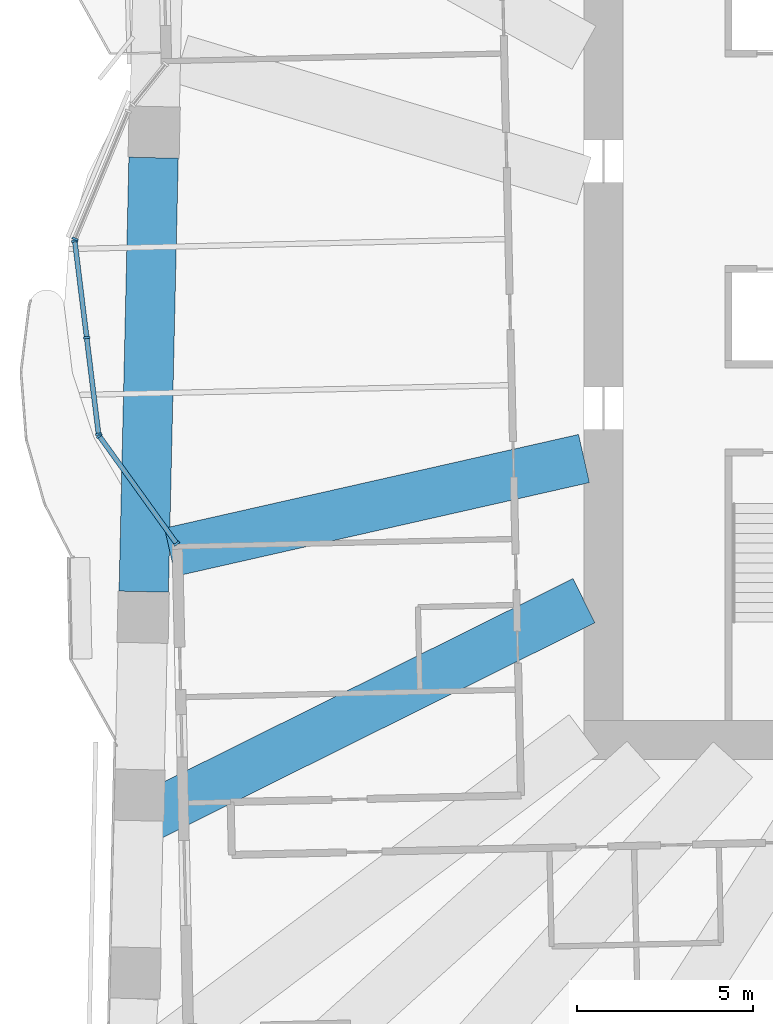
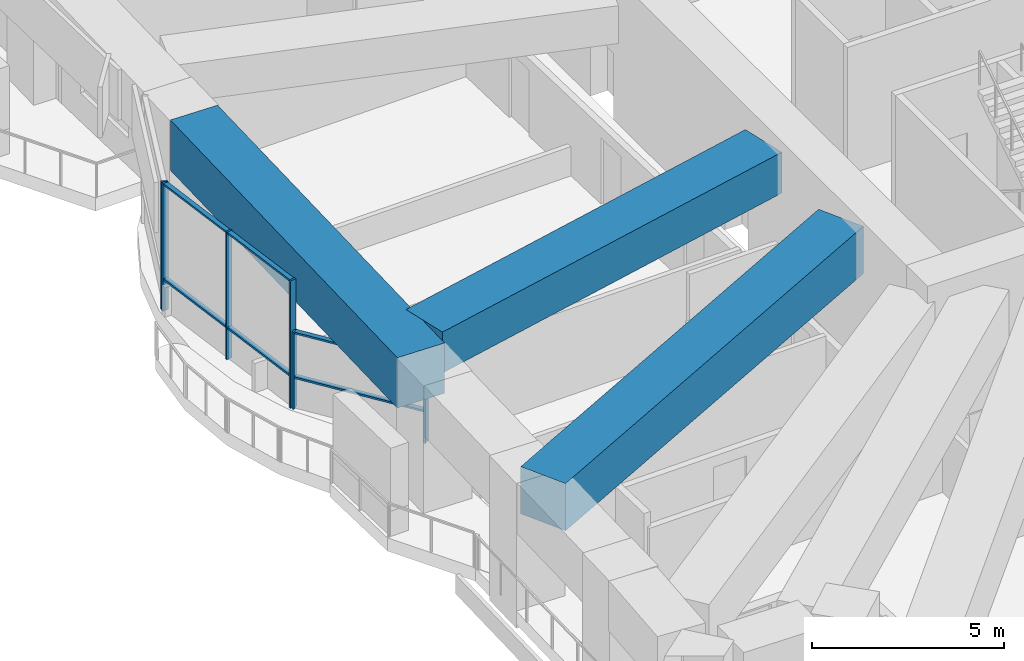
# One storey, part 2 of 20: 12 members, 3 beams, 3 elements without a shape of their own.
"""IFC4 building model written with IfcOpenShell, lengths in metres."""

from ifc_helpers import new_model, si_unit, direction, frame, origin, origin_2d, place, context, subcontext, project, spatial, rectangle, extrude, material, material_profile, profile_set, type_object, element, aggregate, save


model = new_model("IFC4")

# Units and contexts
model_context = context("Model", 3, precision=1e-05, world=origin(), true_north=direction((0.0, 1.0)))
body_context = subcontext(model_context, "Body", "Model", "MODEL_VIEW")
ifc_project = project(units=[si_unit("LENGTHUNIT", "METRE"), si_unit("AREAUNIT", "SQUARE_METRE"), si_unit("VOLUMEUNIT", "CUBIC_METRE"), si_unit("PLANEANGLEUNIT", "RADIAN"), si_unit("MASSUNIT", "GRAM", prefix="KILO")], contexts=[model_context])

# Site, building, storey
site_placement = place(None, origin())
site = spatial("IfcSite", under=ifc_project, at=site_placement, CompositionType="ELEMENT")
building_placement = place(site_placement, origin())
building = spatial("IfcBuilding", under=site, at=building_placement, Name="Mangrove Gate Tower", CompositionType="ELEMENT")
storey_placement = place(building_placement, frame((0.0, 0.0, 74.699951171875)))
storey = spatial("IfcBuildingStorey", under=building, at=storey_placement, Name="L18", CompositionType="ELEMENT", Elevation=74.699951171875)

# Curtain wall, member
ifc_material_1 = material(Name="Aluminium and glass curtain wall", Category="aluminium")
curtain_wall_type = type_object("IfcCurtainWallType", Name="Sky-lounge glazing wall", PredefinedType="NOTDEFINED", material=ifc_material_1)
curtain_wall_1_placement = place(storey_placement, origin())
curtain_wall_1 = element("IfcCurtainWall", 1, at=curtain_wall_1_placement, inside=storey, type_object=curtain_wall_type, Name="Sky-lounge glazing W9p2f1", PredefinedType="NOTDEFINED")
ifc_material_2 = material(Name="Aluminium alloy 6063-T6", Category="aluminium")
ifc_material_profile_1 = material_profile(ifc_material_2, rectangle(XDim=0.06005859375, YDim=0.179931640625, at=origin_2d()))
ifc_profile_set_1 = profile_set([ifc_material_profile_1], Name="Aluminium alloy 6063-T6")
member_type_1 = type_object("IfcMemberType", Name="Sky-lounge glazing mullion 60x180", PredefinedType="MULLION", material=ifc_profile_set_1)
member_1_placement = place(storey_placement, frame((-29.32080078125, 2.849609375, 0.0), z_axis=(0.0, 0.0, 1.0), x_axis=(-0.384582843453, -0.923090481221, 0.0)))
member_1 = element("IfcMember", 2, at=member_1_placement, type_object=member_type_1, Name="CWK mullion 2", PredefinedType="MULLION", context=body_context, shape_type="SweptSolid", body=[
    extrude(rectangle(XDim=0.06005859375, YDim=0.179931640625, at=origin_2d()), origin(), (0.0, 0.0, 1.0), 4.050048828125),
])
aggregate(curtain_wall_1, [member_1])

# Curtain wall, members
curtain_wall_2_placement = place(storey_placement, origin())
curtain_wall_2 = element("IfcCurtainWall", 3, at=curtain_wall_2_placement, inside=storey, type_object=curtain_wall_type, Name="Sky-lounge glazing W9p2f2", PredefinedType="NOTDEFINED")
member_2_placement = place(storey_placement, frame((-29.32861328125, 2.792236328125, 0.0), z_axis=(0.0, 0.0, 1.0), x_axis=(0.122172286076, -0.992508908028, 0.0)))
member_2 = element("IfcMember", 4, at=member_2_placement, type_object=member_type_1, Name="CWK mullion 1", PredefinedType="MULLION", context=body_context, shape_type="SweptSolid", body=[
    extrude(rectangle(XDim=0.06005859375, YDim=0.179931640625, at=origin_2d()), origin(), (0.0, 0.0, 1.0), 4.050048828125),
])
member_3_placement = place(storey_placement, frame((-28.99169921875, 0.05615234375, 0.0), z_axis=(0.0, 0.0, 1.0), x_axis=(0.122172286076, -0.992508908028, 0.0)))
member_3 = element("IfcMember", 5, at=member_3_placement, type_object=member_type_1, Name="CWK mullion 2", PredefinedType="MULLION", context=body_context, shape_type="SweptSolid", body=[
    extrude(rectangle(XDim=0.06005859375, YDim=0.179931640625, at=origin_2d()), origin(), (0.0, 0.0, 1.0), 4.050048828125),
])
member_4_placement = place(storey_placement, frame((-28.655029296875, -2.679931640625, 0.0), z_axis=(0.0, 0.0, 1.0), x_axis=(0.122172286076, -0.992508908028, 0.0)))
member_4 = element("IfcMember", 6, at=member_4_placement, type_object=member_type_1, Name="CWK mullion 3", PredefinedType="MULLION", context=body_context, shape_type="SweptSolid", body=[
    extrude(rectangle(XDim=0.06005859375, YDim=0.179931640625, at=origin_2d()), origin(), (0.0, 0.0, 1.0), 4.050048828125),
])

curtain_wall_3_placement = place(storey_placement, origin())
curtain_wall_3 = element("IfcCurtainWall", 7, at=curtain_wall_3_placement, inside=storey, type_object=curtain_wall_type, Name="Sky-lounge glazing W9p2f3", PredefinedType="NOTDEFINED")
member_5_placement = place(storey_placement, frame((-28.6337890625, -2.734130859375, 0.0), z_axis=(0.0, 0.0, 1.0), x_axis=(0.583670260892, -0.811990779843, 0.0)))
member_5 = element("IfcMember", 8, at=member_5_placement, type_object=member_type_1, Name="CWK mullion 1", PredefinedType="MULLION", context=body_context, shape_type="SweptSolid", body=[
    extrude(rectangle(XDim=0.06005859375, YDim=0.179931640625, at=origin_2d()), origin(), (0.0, 0.0, 1.0), 2.449951171875),
])
member_6_placement = place(storey_placement, frame((-26.44140625, -5.783935546875, 0.0), z_axis=(0.0, 0.0, 1.0), x_axis=(0.583670260892, -0.811990779843, 0.0)))
member_6 = element("IfcMember", 9, at=member_6_placement, type_object=member_type_1, Name="CWK mullion 2", PredefinedType="MULLION", context=body_context, shape_type="SweptSolid", body=[
    extrude(rectangle(XDim=0.06005859375, YDim=0.179931640625, at=origin_2d()), origin(), (0.0, 0.0, 1.0), 2.449951171875),
])

# Member
ifc_material_3 = material(Name="Aluminium alloy 6063-T6", Category="aluminium")
ifc_material_profile_2 = material_profile(ifc_material_3, rectangle(XDim=0.06005859375, YDim=0.139892578125, at=origin_2d()))
ifc_profile_set_2 = profile_set([ifc_material_profile_2], Name="Aluminium alloy 6063-T6")
member_type_2 = type_object("IfcMemberType", Name="Sky-lounge glazing transom 60x140", PredefinedType="USERDEFINED", material=ifc_profile_set_2)
member_7_placement = place(storey_placement, frame((-29.324951171875, 2.762451171875, 1.0), z_axis=(0.122218313927, -0.992503241174, 0.0), x_axis=(0.0, 0.0, 1.0)))
member_7 = element("IfcMember", 10, at=member_7_placement, type_object=member_type_2, Name="CWK transom 1.2", ObjectType="TRANSOM", PredefinedType="USERDEFINED", context=body_context, shape_type="SweptSolid", body=[
    extrude(rectangle(XDim=0.06005859375, YDim=0.139892578125, at=origin_2d()), origin(), (0.0, 0.0, 1.0), 2.69677734375),
])

member_8_placement = place(storey_placement, frame((-29.324951171875, 2.762451171875, 4.02001953125), z_axis=(0.122218313927, -0.992503241174, 0.0), x_axis=(0.0, 0.0, 1.0)))
member_8 = element("IfcMember", 11, at=member_8_placement, type_object=member_type_2, Name="CWK transom 1.3", ObjectType="TRANSOM", PredefinedType="USERDEFINED", context=body_context, shape_type="SweptSolid", body=[
    extrude(rectangle(XDim=0.06005859375, YDim=0.139892578125, at=origin_2d()), origin(), (0.0, 0.0, 1.0), 2.69677734375),
])

member_9_placement = place(storey_placement, frame((-28.988037109375, 0.0263671875, 1.0), z_axis=(0.122129132669, -0.992514219018, 0.0), x_axis=(0.0, 0.0, 1.0)))
member_9 = element("IfcMember", 12, at=member_9_placement, type_object=member_type_2, Name="CWK transom 2.2", ObjectType="TRANSOM", PredefinedType="USERDEFINED", context=body_context, shape_type="SweptSolid", body=[
    extrude(rectangle(XDim=0.06005859375, YDim=0.139892578125, at=origin_2d()), origin(), (0.0, 0.0, 1.0), 2.69677734375),
])

member_10_placement = place(storey_placement, frame((-28.988037109375, 0.0263671875, 4.02001953125), z_axis=(0.122129132669, -0.992514219018, 0.0), x_axis=(0.0, 0.0, 1.0)))
member_10 = element("IfcMember", 13, at=member_10_placement, type_object=member_type_2, Name="CWK transom 2.3", ObjectType="TRANSOM", PredefinedType="USERDEFINED", context=body_context, shape_type="SweptSolid", body=[
    extrude(rectangle(XDim=0.06005859375, YDim=0.139892578125, at=origin_2d()), origin(), (0.0, 0.0, 1.0), 2.69677734375),
])

aggregate(curtain_wall_2, [member_2, member_3, member_4, member_7, member_8, member_9, member_10])

member_11_placement = place(storey_placement, frame((-28.6162109375, -2.758544921875, 1.0), z_axis=(0.583653741827, -0.812002653722, 0.0), x_axis=(0.0, 0.0, 1.0)))
member_11 = element("IfcMember", 14, at=member_11_placement, type_object=member_type_2, Name="CWK transom 1.2", ObjectType="TRANSOM", PredefinedType="USERDEFINED", context=body_context, shape_type="SweptSolid", body=[
    extrude(rectangle(XDim=0.06005859375, YDim=0.139892578125, at=origin_2d()), origin(), (0.0, 0.0, 1.0), 3.696044921875),
])

member_12_placement = place(storey_placement, frame((-28.6162109375, -2.758544921875, 2.420166015625), z_axis=(0.583653741827, -0.812002653722, 0.0), x_axis=(0.0, 0.0, 1.0)))
member_12 = element("IfcMember", 15, at=member_12_placement, type_object=member_type_2, Name="CWK transom 1.3", ObjectType="TRANSOM", PredefinedType="USERDEFINED", context=body_context, shape_type="SweptSolid", body=[
    extrude(rectangle(XDim=0.06005859375, YDim=0.139892578125, at=origin_2d()), origin(), (0.0, 0.0, 1.0), 3.696044921875),
])

aggregate(curtain_wall_3, [member_5, member_6, member_11, member_12])

# Beams
ifc_material_4 = material(Name="Concrete C70/85", Category="concrete")
ifc_material_profile_3 = material_profile(ifc_material_4, rectangle(XDim=1.39990234375, YDim=1.300048828125, at=origin_2d()))
ifc_profile_set_3 = profile_set([ifc_material_profile_3], Name="Concrete C70/85")
beam_type_1 = type_object("IfcBeamType", Name="Transfer girder RC 1400x1300 C70/85", PredefinedType="BEAM", material=ifc_profile_set_3)
beam_1_placement = place(storey_placement, frame((-14.89990234375, -3.371826171875, 3.400146484375), z_axis=(-0.975333832794, -0.220734941972, 0.0), x_axis=(0.220734941972, -0.975333832794, 0.0)))
element("IfcBeam", 16, at=beam_1_placement, inside=storey, type_object=beam_type_1, Name="Transfer girder L18 00", PredefinedType="BEAM", context=body_context, shape_type="SweptSolid", body=[
    extrude(rectangle(XDim=1.39990234375, YDim=1.300048828125, at=origin_2d()), origin(), (0.0, 0.0, 1.0), 12.028076171875),
])
ifc_material_5 = material(Name="Concrete C70/85", Category="concrete")
ifc_material_profile_4 = material_profile(ifc_material_5, rectangle(XDim=1.39990234375, YDim=1.5, at=origin_2d()))
ifc_profile_set_4 = profile_set([ifc_material_profile_4], Name="Concrete C70/85")
beam_type_2 = type_object("IfcBeamType", Name="Transfer girder RC 1400x1500 C70/85", PredefinedType="BEAM", material=ifc_profile_set_4)
beam_2_placement = place(storey_placement, frame((-14.89990234375, -7.400634765625, 3.300048828125), z_axis=(-0.89560862863, -0.444842875996, 0.0), x_axis=(0.444842875996, -0.89560862863, 0.0)))
element("IfcBeam", 17, at=beam_2_placement, inside=storey, type_object=beam_type_2, Name="Transfer girder L18 01", PredefinedType="BEAM", context=body_context, shape_type="SweptSolid", body=[
    extrude(rectangle(XDim=1.39990234375, YDim=1.5, at=origin_2d()), origin(), (0.0, 0.0, 1.0), 14.014892578125),
])
ifc_material_6 = material(Name="Concrete C70/85", Category="concrete")
ifc_material_profile_5 = material_profile(ifc_material_6, rectangle(XDim=1.39990234375, YDim=1.60009765625, at=origin_2d()))
ifc_profile_set_5 = profile_set([ifc_material_profile_5], Name="Concrete C70/85")
beam_type_3 = type_object("IfcBeamType", Name="Transfer girder RC 1400x1600 C70/85", PredefinedType="BEAM", material=ifc_profile_set_5)
beam_3_placement = place(storey_placement, frame((-27.095703125, 5.15283203125, 3.25), z_axis=(-0.022685788302, -0.999742644389, 0.0), x_axis=(0.999742644389, -0.022685788302, 0.0)))
element("IfcBeam", 18, at=beam_3_placement, inside=storey, type_object=beam_type_3, Name="Transfer ring girder L18 33", PredefinedType="BEAM", context=body_context, shape_type="SweptSolid", body=[
    extrude(rectangle(XDim=1.39990234375, YDim=1.60009765625, at=origin_2d()), origin(), (0.0, 0.0, 1.0), 12.30078125),
])

save(model, "model.ifc")
